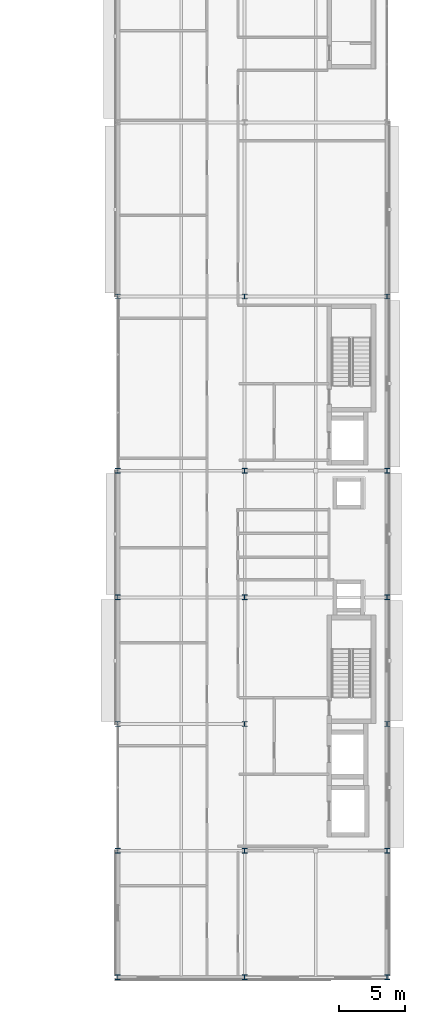
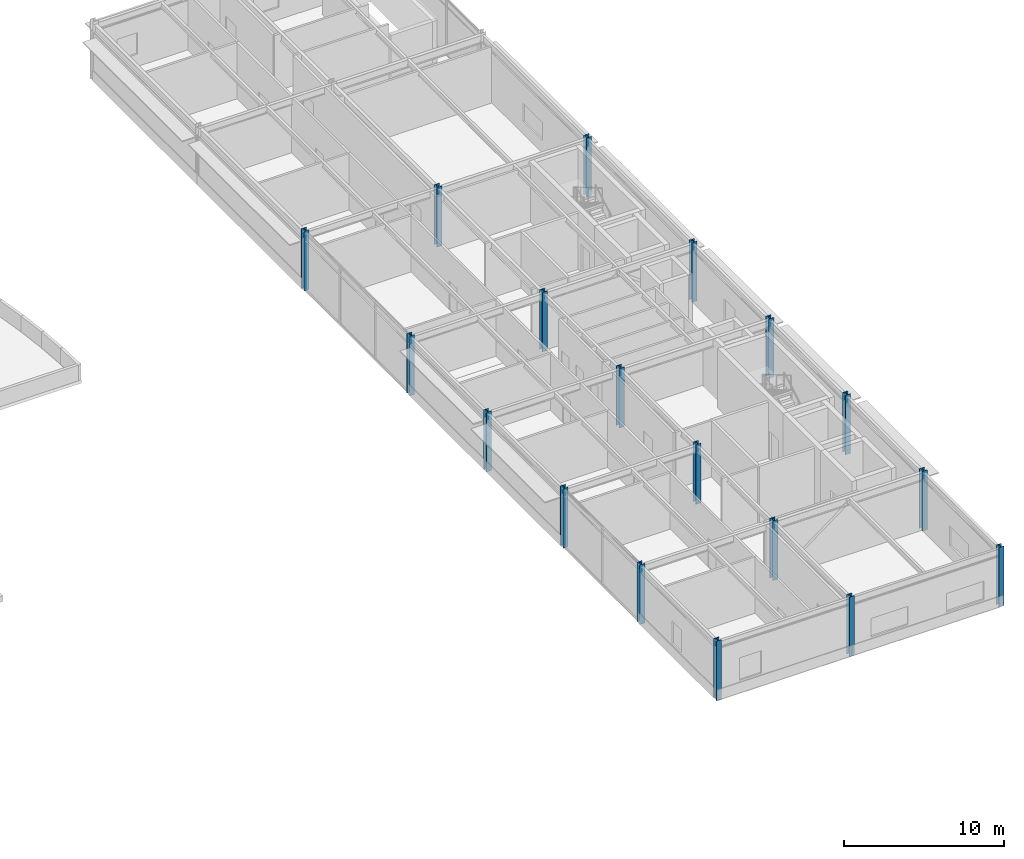
# One storey, part 2 of 50: 18 columns.
"""IFC4 building model written with IfcOpenShell, lengths in metres."""

from ifc_helpers import new_model, si_unit, direction, frame, origin, origin_2d, place, context, subcontext, project, spatial, i_section, extrude, material, material_profile, profile_set, type_object, element, save


model = new_model("IFC4")

# Units and contexts
model_context = context("Model", 3, precision=1e-05, world=origin(), true_north=direction((0.0, 1.0)))
body_context = subcontext(model_context, "Body", "Model", "MODEL_VIEW")
ifc_project = project(units=[si_unit("LENGTHUNIT", "METRE"), si_unit("AREAUNIT", "SQUARE_METRE"), si_unit("VOLUMEUNIT", "CUBIC_METRE"), si_unit("PLANEANGLEUNIT", "RADIAN"), si_unit("MASSUNIT", "GRAM", prefix="KILO")], contexts=[model_context])

# Site, building, storey
site_placement = place(None, origin())
site = spatial("IfcSite", under=ifc_project, at=site_placement, CompositionType="ELEMENT")
building_placement = place(site_placement, origin())
building = spatial("IfcBuilding", under=site, at=building_placement, Name="Almandine Court Research Institute", CompositionType="ELEMENT")
storey_placement = place(building_placement, frame((0.0, 0.0, 23.449951171875)))
storey = spatial("IfcBuildingStorey", under=building, at=storey_placement, Name="L05", CompositionType="ELEMENT", Elevation=23.449951171875)

# Columns
ifc_material = material(Name="Steel ASTM A992 Grade 50", Category="steel")
ifc_material_profile_1 = material_profile(ifc_material, i_section(OverallWidth=0.373046875, OverallDepth=0.367919921875, WebThickness=0.01708984375, FlangeThickness=0.027099609375, at=origin_2d()), Name="W360x179")
ifc_profile_set_1 = profile_set([ifc_material_profile_1], Name="Steel ASTM A992 Grade 50")
column_type_1 = type_object("IfcColumnType", Name="Col-C-W03", PredefinedType="COLUMN", material=ifc_profile_set_1)
for number, where, z_axis, x_axis, name in (
    (1, (153.60009765625, 15.60009765625, 0.0), (0.0, 0.0, 1.0), (1.0, 0.0, 0.0), "L05 V4 Column V4-X2Y2"),
    (2, (153.60009765625, 25.199951171875, 0.0), (0.0, 0.0, 1.0), (1.0, 0.0, 0.0), "L05 V4 Column V4-X2Y3"),
    (3, (153.60009765625, 34.800048828125, 0.0), (0.0, 0.0, 1.0), (1.0, 0.0, 0.0), "L05 V4 Column V4-X2Y4"),
    (4, (153.60009765625, 44.39990234375, 0.0), (0.0, 0.0, 1.0), (1.0, 0.0, 0.0), "L05 V4 Column V4-X2Y5"),
    (5, (153.60009765625, 57.60009765625, 0.0), (0.0, 0.0, 1.0), (1.0, 0.0, 0.0), "L05 V4 Column V4-X2Y6"),
    (6, (163.199951171875, 15.60009765625, 0.0), (0.0, 0.0, 1.0), (1.0, 0.0, 0.0), "L05 V4 Column V4-X3Y2"),
    (7, (163.199951171875, 25.199951171875, 0.0), (0.0, 0.0, 1.0), (1.0, 0.0, 0.0), "L05 V4 Column V4-X3Y3"),
    (8, (163.199951171875, 34.800048828125, 0.0), (0.0, 0.0, 1.0), (1.0, 0.0, 0.0), "L05 V4 Column V4-X3Y4"),
    (9, (163.199951171875, 44.39990234375, 0.0), (0.0, 0.0, 1.0), (1.0, 0.0, 0.0), "L05 V4 Column V4-X3Y5"),
    (10, (163.199951171875, 57.60009765625, 0.0), (0.0, 0.0, 1.0), (1.0, 0.0, 0.0), "L05 V4 Column V4-X3Y6"),
):
    element("IfcColumn", number, at=place(storey_placement, frame(where, z_axis=z_axis, x_axis=x_axis)), inside=storey, type_object=column_type_1, Name=name, PredefinedType="COLUMN", context=body_context, shape_type="SweptSolid", body=[
        extrude(i_section(OverallWidth=0.373046875, OverallDepth=0.367919921875, WebThickness=0.01708984375, FlangeThickness=0.027099609375, at=origin_2d()), origin(), (0.0, 0.0, 1.0), 4.550048828125),
    ])
ifc_material_profile_2 = material_profile(ifc_material, i_section(OverallWidth=0.373046875, OverallDepth=0.367919921875, WebThickness=0.01708984375, FlangeThickness=0.027099609375, at=origin_2d()), Name="W360x179")
ifc_profile_set_2 = profile_set([ifc_material_profile_2], Name="Steel ASTM A992 Grade 50")
column_type_2 = type_object("IfcColumnType", Name="Col-C-W03-E", PredefinedType="COLUMN", material=ifc_profile_set_2)
for number, where, z_axis, x_axis, name in (
    (11, (153.60009765625, 6.0, 0.0), (0.0, 0.0, 1.0), (1.0, 0.0, 0.0), "L05 V4 Column V4-X2Y1"),
    (12, (163.199951171875, 6.0, 0.0), (0.0, 0.0, 1.0), (1.0, 0.0, 0.0), "L05 V4 Column V4-X3Y1"),
    (13, (174.0, 6.0, 0.0), (0.0, 0.0, 1.0), (1.0, 0.0, 0.0), "L05 V4 Column V4-X4Y1"),
    (14, (174.0, 15.60009765625, 0.0), (0.0, 0.0, 1.0), (1.0, 0.0, 0.0), "L05 V4 Column V4-X4Y2"),
    (15, (174.0, 25.199951171875, 0.0), (0.0, 0.0, 1.0), (1.0, 0.0, 0.0), "L05 V4 Column V4-X4Y3"),
    (16, (174.0, 34.800048828125, 0.0), (0.0, 0.0, 1.0), (1.0, 0.0, 0.0), "L05 V4 Column V4-X4Y4"),
    (17, (174.0, 44.39990234375, 0.0), (0.0, 0.0, 1.0), (1.0, 0.0, 0.0), "L05 V4 Column V4-X4Y5"),
    (18, (174.0, 57.60009765625, 0.0), (0.0, 0.0, 1.0), (1.0, 0.0, 0.0), "L05 V4 Column V4-X4Y6"),
):
    element("IfcColumn", number, at=place(storey_placement, frame(where, z_axis=z_axis, x_axis=x_axis)), inside=storey, type_object=column_type_2, Name=name, PredefinedType="COLUMN", context=body_context, shape_type="SweptSolid", body=[
        extrude(i_section(OverallWidth=0.373046875, OverallDepth=0.367919921875, WebThickness=0.01708984375, FlangeThickness=0.027099609375, at=origin_2d()), origin(), (0.0, 0.0, 1.0), 4.550048828125),
    ])

save(model, "model.ifc")
